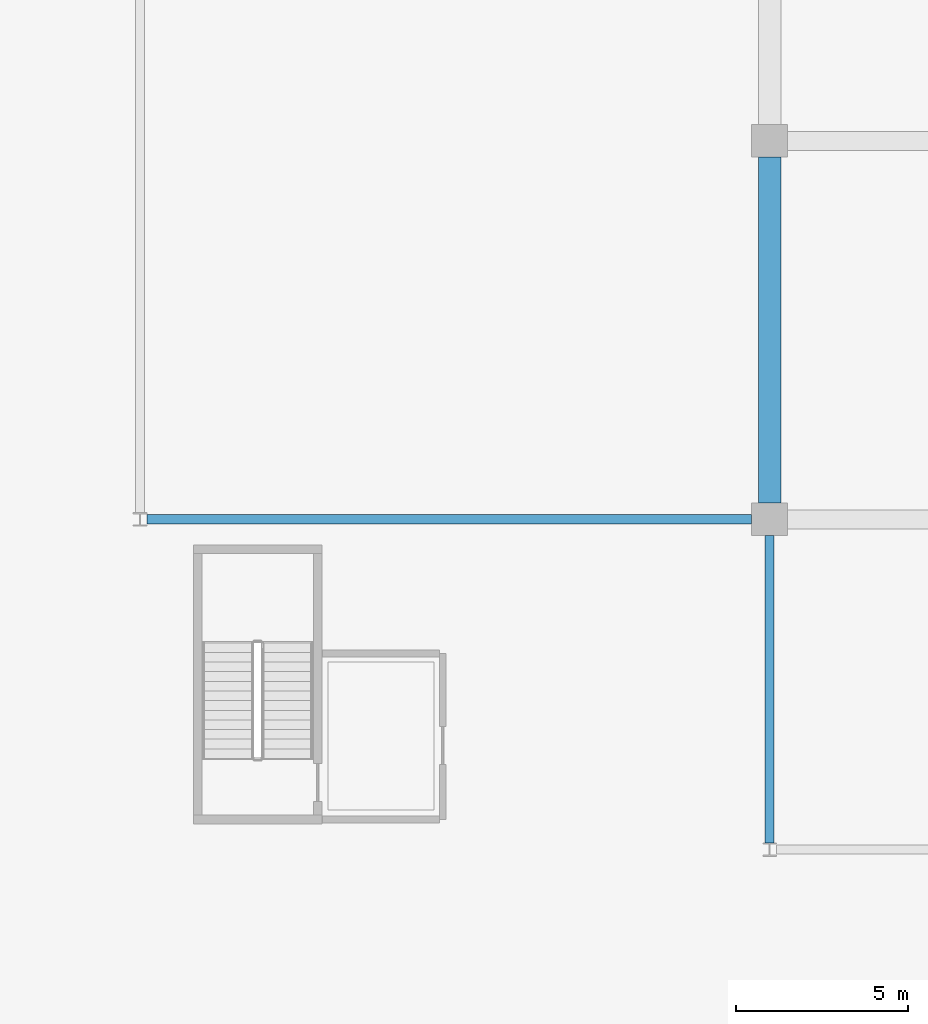
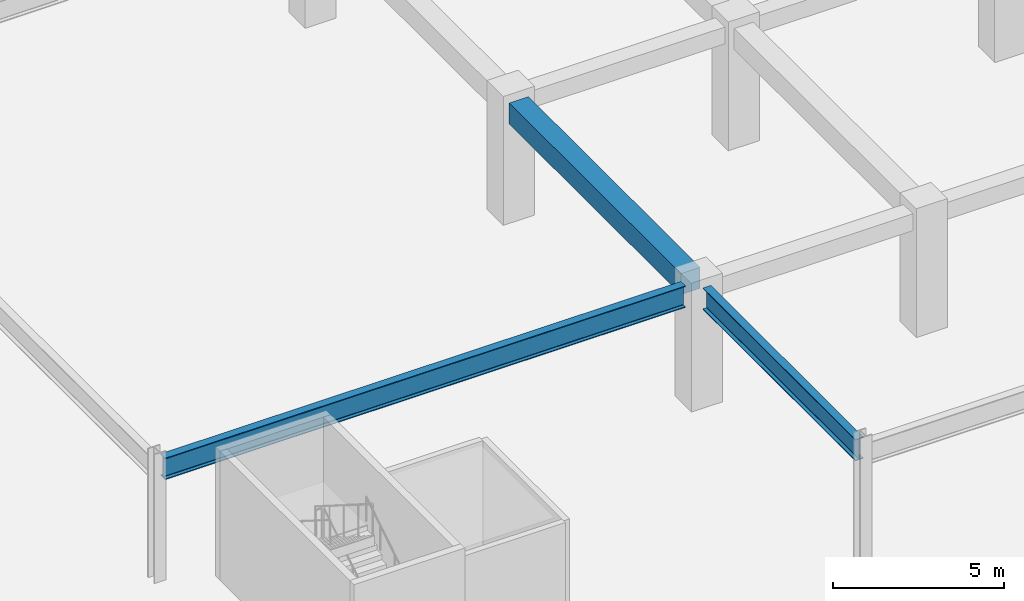
# One storey, part 7 of 45: 3 beams.
"""IFC4 building model written with IfcOpenShell, lengths in metres."""

from ifc_helpers import new_model, si_unit, direction, frame, origin, origin_2d, place, context, subcontext, project, spatial, rectangle, i_section, extrude, material, material_profile, profile_set, type_object, element, save


model = new_model("IFC4")

# Units and contexts
model_context = context("Model", 3, precision=1e-05, world=origin(), true_north=direction((0.0, 1.0)))
body_context = subcontext(model_context, "Body", "Model", "MODEL_VIEW")
ifc_project = project(units=[si_unit("LENGTHUNIT", "METRE"), si_unit("AREAUNIT", "SQUARE_METRE"), si_unit("VOLUMEUNIT", "CUBIC_METRE"), si_unit("PLANEANGLEUNIT", "RADIAN"), si_unit("MASSUNIT", "GRAM", prefix="KILO")], contexts=[model_context])

# Site, building, storey
site_placement = place(None, origin())
site = spatial("IfcSite", under=ifc_project, at=site_placement, CompositionType="ELEMENT")
building_placement = place(site_placement, origin())
building = spatial("IfcBuilding", under=site, at=building_placement, Name="Korimba Cascade Residences", CompositionType="ELEMENT")
storey_placement = place(building_placement, frame((0.0, 0.0, 5.39990234375)))
storey = spatial("IfcBuildingStorey", under=building, at=storey_placement, Name="L01", CompositionType="ELEMENT", Elevation=5.39990234375)

# Beams
ifc_material_1 = material(Name="Concrete C50/60", Category="concrete")
ifc_material_profile_1 = material_profile(ifc_material_1, rectangle(XDim=0.64990234375, YDim=0.75, at=origin_2d()), Name="Concrete C50/60")
ifc_profile_set_1 = profile_set([ifc_material_profile_1], Name="Concrete C50/60")
beam_type_1 = type_object("IfcBeamType", Name="BM-RC-G750", PredefinedType="BEAM", material=ifc_profile_set_1)
beam_1_placement = place(storey_placement, frame((74.5, -3.72509765625, 3.925048828125), z_axis=(0.0, 1.0, 0.0), x_axis=(-1.0, 0.0, 0.0)))
element("IfcBeam", 1, at=beam_1_placement, inside=storey, type_object=beam_type_1, Name="L01 T2 N-S Girder X1 Seg 1", PredefinedType="BEAM", context=body_context, shape_type="SweptSolid", body=[
    extrude(rectangle(XDim=0.64990234375, YDim=0.75, at=origin_2d()), origin(), (0.0, 0.0, 1.0), 10.050048828125),
])
ifc_material_2 = material(Name="Steel S355", Category="steel")
ifc_material_profile_2 = material_profile(ifc_material_2, i_section(OverallWidth=0.26806640625, OverallDepth=0.769775390625, WebThickness=0.015625, FlangeThickness=0.025390625, FilletRadius=0.0166015625, at=origin_2d()), Name="Steel S355")
ifc_profile_set_2 = profile_set([ifc_material_profile_2], Name="Steel S355")
beam_type_2 = type_object("IfcBeamType", Name="BM-STL-UB762", PredefinedType="BEAM", material=ifc_profile_set_2)
beam_2_placement = place(storey_placement, frame((56.3994140625, -4.199951171875, 3.915283203125), z_axis=(1.0, 0.0, 0.0), x_axis=(0.0, 1.0, 0.0)))
element("IfcBeam", 2, at=beam_2_placement, inside=storey, type_object=beam_type_2, Name="L01 Podium Frame Girder W1", PredefinedType="BEAM", context=body_context, shape_type="SweptSolid", body=[
    extrude(i_section(OverallWidth=0.26806640625, OverallDepth=0.769775390625, WebThickness=0.015625, FlangeThickness=0.025390625, FilletRadius=0.0166015625, at=origin_2d()), origin(), (0.0, 0.0, 1.0), 17.57568359375),
])
beam_3_placement = place(storey_placement, frame((74.5, -13.603271484375, 3.915283203125), z_axis=(0.0, 1.0, 0.0), x_axis=(-1.0, 0.0, 0.0)))
element("IfcBeam", 3, at=beam_3_placement, inside=storey, type_object=beam_type_2, Name="L01 Podium Frame Girder S1", PredefinedType="BEAM", context=body_context, shape_type="SweptSolid", body=[
    extrude(i_section(OverallWidth=0.26806640625, OverallDepth=0.769775390625, WebThickness=0.015625, FlangeThickness=0.025390625, FilletRadius=0.0166015625, at=origin_2d()), origin(), (0.0, 0.0, 1.0), 8.92822265625),
])

save(model, "model.ifc")
